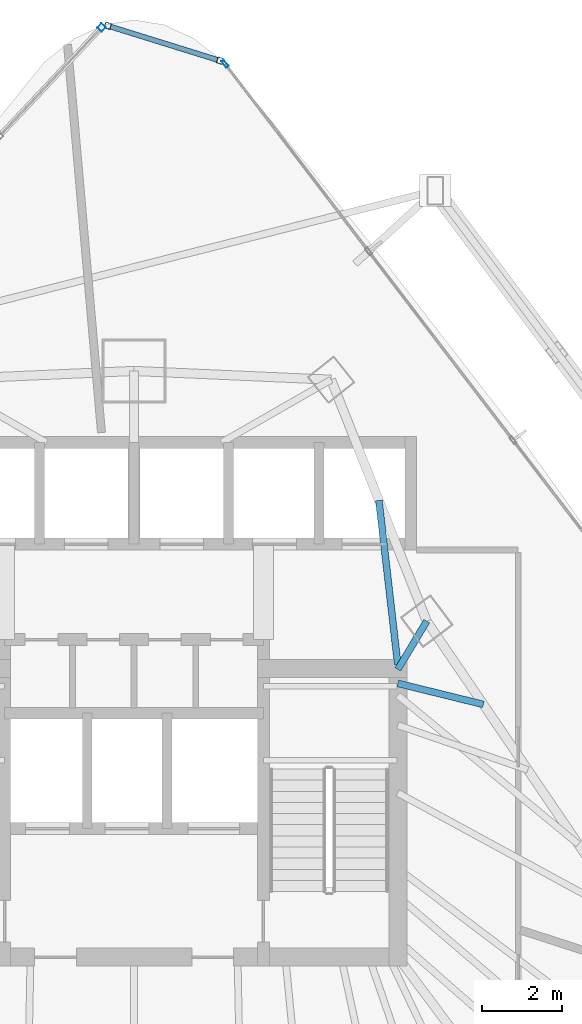
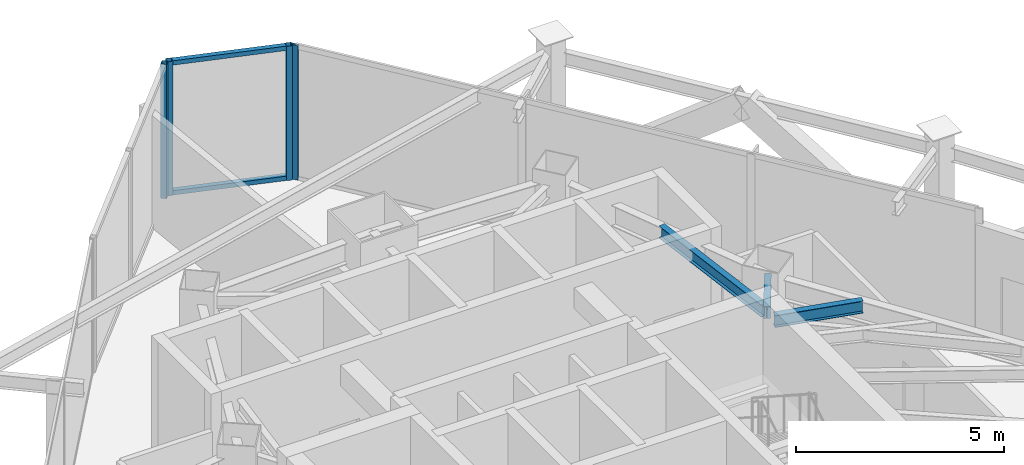
# One storey, part 23 of 33: 6 members, 3 beams, 3 elements without a shape of their own.
"""IFC4 building model written with IfcOpenShell, lengths in metres."""

from ifc_helpers import new_model, si_unit, direction, frame, origin, origin_2d, place, context, subcontext, project, spatial, hollow_rectangle, i_section, extrude, material, layer, layer_set, material_profile, profile_set, type_object, element, aggregate, save


model = new_model("IFC4")

# Units and contexts
model_context = context("Model", 3, precision=1e-05, world=origin(), true_north=direction((0.0, 1.0)))
body_context = subcontext(model_context, "Body", "Model", "MODEL_VIEW")
ifc_project = project(units=[si_unit("LENGTHUNIT", "METRE"), si_unit("AREAUNIT", "SQUARE_METRE"), si_unit("VOLUMEUNIT", "CUBIC_METRE"), si_unit("PLANEANGLEUNIT", "RADIAN"), si_unit("MASSUNIT", "GRAM", prefix="KILO")], contexts=[model_context])

# Site, building, storey
site_placement = place(None, origin())
site = spatial("IfcSite", under=ifc_project, at=site_placement, CompositionType="ELEMENT")
building_placement = place(site_placement, origin())
building = spatial("IfcBuilding", under=site, at=building_placement, Name="Orvanel Arch Residences", CompositionType="ELEMENT")
storey_placement = place(building_placement, frame((0.0, 0.0, 97.25)))
storey = spatial("IfcBuildingStorey", under=building, at=storey_placement, Name="L27", CompositionType="ELEMENT", Elevation=97.25)

# Beams
ifc_material_1 = material(Name="Structural steel AS/NZS 3679.1 Grade 300 (300 MPa)", Category="steel")
ifc_material_profile_1 = material_profile(ifc_material_1, i_section(OverallWidth=0.1708984375, OverallDepth=0.35595703125, WebThickness=0.00732421875, FlangeThickness=0.011474609375, at=origin_2d()), Name="360UB50.7")
ifc_profile_set_1 = profile_set([ifc_material_profile_1], Name="Structural steel AS/NZS 3679.1 Grade 300 (300 MPa)")
beam_type = type_object("IfcBeamType", Name="BJ-360UB", PredefinedType="JOIST", material=ifc_profile_set_1)
beam_1_placement = place(storey_placement, frame((39.625, 33.89990234375, 3.77197265625), z_axis=(0.514064138778, 0.857751748015, 0.0), x_axis=(-0.857751748015, 0.514064138778, 0.0)))
element("IfcBeam", 1, at=beam_1_placement, inside=storey, type_object=beam_type, Name="L27 NNE Wing Floor Joist", PredefinedType="JOIST", context=body_context, shape_type="SweptSolid", body=[
    extrude(i_section(OverallWidth=0.1708984375, OverallDepth=0.35595703125, WebThickness=0.00732421875, FlangeThickness=0.011474609375, at=origin_2d()), origin(), (0.0, 0.0, 1.0), 1.414306640625),
])
beam_2_placement = place(storey_placement, frame((39.625, 34.02001953125, 3.77197265625), z_axis=(-0.114186670431, 0.993459311847, 0.0), x_axis=(-0.993459311847, -0.114186670431, 0.0)))
element("IfcBeam", 2, at=beam_2_placement, inside=storey, type_object=beam_type, Name="L27 NNE2 Wing Floor Joist", PredefinedType="JOIST", context=body_context, shape_type="SweptSolid", body=[
    extrude(i_section(OverallWidth=0.1708984375, OverallDepth=0.35595703125, WebThickness=0.00732421875, FlangeThickness=0.011474609375, at=origin_2d()), origin(), (0.0, 0.0, 1.0), 4.152099609375),
])
beam_3_placement = place(storey_placement, frame((39.625, 33.550048828125, 3.77197265625), z_axis=(0.971005818547, -0.239055851942, 0.0), x_axis=(0.239055851942, 0.971005818547, 0.0)))
element("IfcBeam", 3, at=beam_3_placement, inside=storey, type_object=beam_type, Name="L27 JADD4 Wing Floor Joist", PredefinedType="JOIST", context=body_context, shape_type="SweptSolid", body=[
    extrude(i_section(OverallWidth=0.1708984375, OverallDepth=0.35595703125, WebThickness=0.00732421875, FlangeThickness=0.011474609375, at=origin_2d()), origin(), (0.0, 0.0, 1.0), 2.213134765625),
])

# Curtain wall, members
ifc_material_2 = material(Name="Bronze-anodised aluminium AA6063-T6", Category="aluminium")
ifc_layer_1 = layer(ifc_material_2, 0.18994140625)
ifc_layer_set_1 = layer_set([ifc_layer_1], Name="Bronze-anodised aluminium AA6063-T6")
curtain_wall_type_1 = type_object("IfcCurtainWallType", Name="CW5-CRN-SYS", PredefinedType="NOTDEFINED", material=ifc_layer_set_1)
curtain_wall_1_placement = place(storey_placement, origin())
curtain_wall_1 = element("IfcCurtainWall", 4, at=curtain_wall_1_placement, inside=storey, type_object=curtain_wall_type_1, Name="L27 CW5-CRN-SYS Unitised Curtain Wall", PredefinedType="NOTDEFINED")
ifc_material_profile_2 = material_profile(ifc_material_2, hollow_rectangle(XDim=0.14990234375, YDim=0.14990234375, WallThickness=0.0048828125, at=origin_2d()), Name="ALU150x150x5")
ifc_profile_set_2 = profile_set([ifc_material_profile_2], Name="Bronze-anodised aluminium AA6063-T6")
member_type_1 = type_object("IfcMemberType", Name="MUL-150x150", PredefinedType="MULLION", material=ifc_profile_set_2)
member_1_placement = place(storey_placement, frame((35.160400390625, 49.190185546875, 0.0), z_axis=(0.0, 0.0, 1.0), x_axis=(-0.297118786175, -0.95484052433, 0.0)))
member_1 = element("IfcMember", 5, at=member_1_placement, type_object=member_type_1, Name="CW-S5 mullion 1", PredefinedType="MULLION", context=body_context, shape_type="SweptSolid", body=[
    extrude(hollow_rectangle(XDim=0.14990234375, YDim=0.14990234375, WallThickness=0.0048828125, at=origin_2d()), origin(), (0.0, 0.0, 1.0), 3.949951171875),
])
member_2_placement = place(storey_placement, frame((32.340576171875, 50.067626953125, 0.0), z_axis=(0.0, 0.0, 1.0), x_axis=(-0.297118786175, -0.95484052433, 0.0)))
member_2 = element("IfcMember", 6, at=member_2_placement, type_object=member_type_1, Name="CW-S5 mullion 2", PredefinedType="MULLION", context=body_context, shape_type="SweptSolid", body=[
    extrude(hollow_rectangle(XDim=0.14990234375, YDim=0.14990234375, WallThickness=0.0048828125, at=origin_2d()), origin(), (0.0, 0.0, 1.0), 3.949951171875),
])

# Curtain wall, member
curtain_wall_2_placement = place(storey_placement, origin())
curtain_wall_2 = element("IfcCurtainWall", 7, at=curtain_wall_2_placement, inside=storey, type_object=curtain_wall_type_1, Name="L27 CW5-CRN-SYS Unitised Curtain Wall", PredefinedType="NOTDEFINED")
member_3_placement = place(storey_placement, frame((32.1845703125, 50.0263671875, 0.0), z_axis=(0.0, 0.0, 1.0), x_axis=(0.728069647077, -0.68550316484, 0.0)))
member_3 = element("IfcMember", 8, at=member_3_placement, type_object=member_type_1, Name="CW-S5 mullion 1", PredefinedType="MULLION", context=body_context, shape_type="SweptSolid", body=[
    extrude(hollow_rectangle(XDim=0.14990234375, YDim=0.14990234375, WallThickness=0.0048828125, at=origin_2d()), origin(), (0.0, 0.0, 1.0), 3.949951171875),
])
aggregate(curtain_wall_2, [member_3])

ifc_layer_2 = layer(ifc_material_2, 0.195068359375)
ifc_layer_set_2 = layer_set([ifc_layer_2], Name="Bronze-anodised aluminium AA6063-T6")
curtain_wall_type_2 = type_object("IfcCurtainWallType", Name="CW6-COM-SYS", PredefinedType="NOTDEFINED", material=ifc_layer_set_2)
curtain_wall_3_placement = place(storey_placement, origin())
curtain_wall_3 = element("IfcCurtainWall", 9, at=curtain_wall_3_placement, inside=storey, type_object=curtain_wall_type_2, Name="L27 CW6-COM-SYS Unitised Curtain Wall", PredefinedType="NOTDEFINED")
ifc_material_profile_3 = material_profile(ifc_material_2, hollow_rectangle(XDim=0.074951171875, YDim=0.199951171875, WallThickness=0.0048828125, at=origin_2d()), Name="ALU200x75x5")
ifc_profile_set_3 = profile_set([ifc_material_profile_3], Name="Bronze-anodised aluminium AA6063-T6")
member_type_2 = type_object("IfcMemberType", Name="MUL-200x75", PredefinedType="MULLION", material=ifc_profile_set_3)
member_4_placement = place(storey_placement, frame((35.285888671875, 49.1162109375, 0.0), z_axis=(0.0, 0.0, 1.0), x_axis=(-0.794313486349, -0.607508094929, 0.0)))
member_4 = element("IfcMember", 10, at=member_4_placement, type_object=member_type_2, Name="CW-S6 mullion 4", PredefinedType="MULLION", context=body_context, shape_type="SweptSolid", body=[
    extrude(hollow_rectangle(XDim=0.074951171875, YDim=0.199951171875, WallThickness=0.0048828125, at=origin_2d()), origin(), (0.0, 0.0, 1.0), 3.949951171875),
])
aggregate(curtain_wall_3, [member_4])

# Member
ifc_material_profile_4 = material_profile(ifc_material_2, hollow_rectangle(XDim=0.1298828125, YDim=0.1298828125, WallThickness=0.00439453125, at=origin_2d()), Name="ALU130x130x4.5")
ifc_profile_set_4 = profile_set([ifc_material_profile_4], Name="Bronze-anodised aluminium AA6063-T6")
member_type_3 = type_object("IfcMemberType", Name="TRN-130x130", PredefinedType="USERDEFINED", material=ifc_profile_set_4)
member_5_placement = place(storey_placement, frame((35.0888671875, 49.212646484375, 0.06494140625), z_axis=(-0.9548573253, 0.297064788088, 0.0), x_axis=(-0.297064788088, -0.9548573253, 0.0)))
member_5 = element("IfcMember", 11, at=member_5_placement, type_object=member_type_3, Name="CW-S5 transom 1.1", ObjectType="TRANSOM", PredefinedType="USERDEFINED", context=body_context, shape_type="SweptSolid", body=[
    extrude(hollow_rectangle(XDim=0.1298828125, YDim=0.1298828125, WallThickness=0.00439453125, at=origin_2d()), origin(), (0.0, 0.0, 1.0), 2.80322265625),
])

member_6_placement = place(storey_placement, frame((35.0888671875, 49.212646484375, 3.885009765625), z_axis=(-0.9548573253, 0.297064788088, 0.0), x_axis=(-0.297064788088, -0.9548573253, 0.0)))
member_6 = element("IfcMember", 12, at=member_6_placement, type_object=member_type_3, Name="CW-S5 transom 1.2", ObjectType="TRANSOM", PredefinedType="USERDEFINED", context=body_context, shape_type="SweptSolid", body=[
    extrude(hollow_rectangle(XDim=0.1298828125, YDim=0.1298828125, WallThickness=0.00439453125, at=origin_2d()), origin(), (0.0, 0.0, 1.0), 2.80322265625),
])

aggregate(curtain_wall_1, [member_1, member_2, member_5, member_6])

save(model, "model.ifc")
